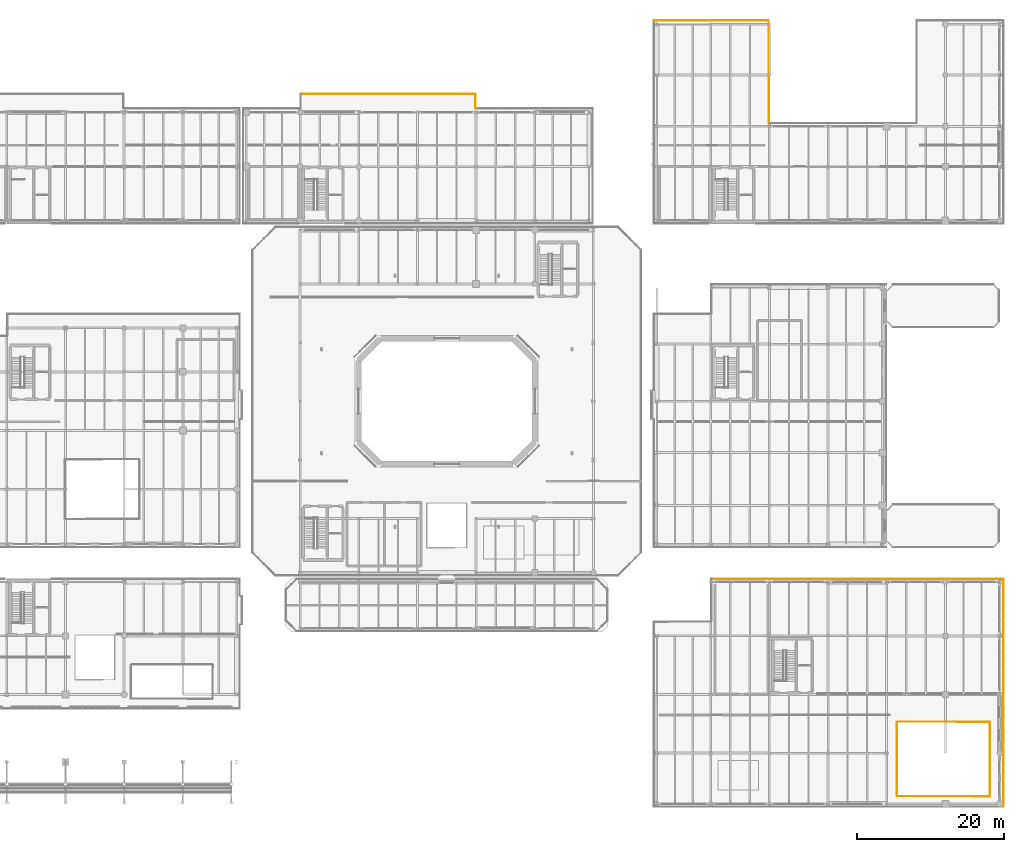
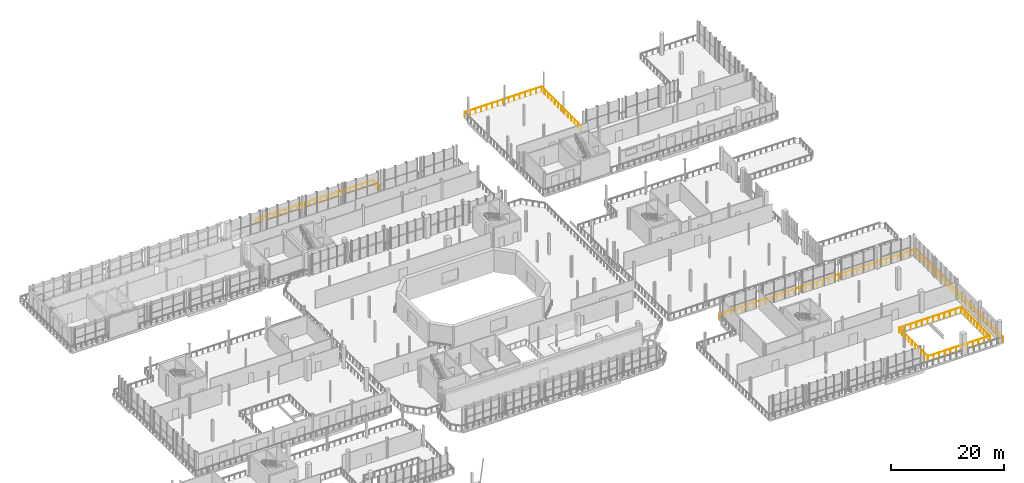
# One storey, part 91 of 93: 10 railings.
"""IFC4 building model written with IfcOpenShell, lengths in metres."""

import ifcopenshell
import ifcopenshell.guid

model = None  # the IFC model being written
_history = None  # IfcOwnerHistory: only IFC2X3 demands one
_inside = {}  # id of a spatial element -> (the spatial element, [elements in it])
_under = {}  # id of a project, library or spatial element -> (it, [spatial elements below it])
_declared = {}  # id of a project -> (the project, [libraries it declares])
_typed = {}  # id of a type object -> (the type object, [elements of that type])
_made_of = {}  # id of a material, layer set ... -> (it, [elements and type objects made of it])


def new_model(schema):
    """Start an empty IFC model of exactly this schema.

    Asked for "IFC4X3", IfcOpenShell would pick the latest addendum, in which some entities
    have other attributes; the version numbers below select the first issue.
    IFC2X3 requires an IfcOwnerHistory on every rooted entity: one is made here for all.
    """
    global model, _history
    if schema == "IFC4X3":
        model = ifcopenshell.file(schema_version=(4, 3, 0, 0))
    else:
        model = ifcopenshell.file(schema=schema)
    _inside.clear()
    _under.clear()
    _declared.clear()
    _typed.clear()
    _made_of.clear()
    _history = None
    if model.schema == "IFC2X3":
        org = make("IfcOrganization", Name="unknown")
        user = make(
            "IfcPersonAndOrganization",
            ThePerson=make("IfcPerson", FamilyName="unknown"),
            TheOrganization=org,
        )
        app = make(
            "IfcApplication",
            ApplicationDeveloper=org,
            Version="unknown",
            ApplicationFullName="unknown",
            ApplicationIdentifier="unknown",
        )
        _history = make(
            "IfcOwnerHistory",
            OwningUser=user,
            OwningApplication=app,
            ChangeAction="ADDED",
            CreationDate=0,
        )
    return model


def make(cls, **values):
    """One entity of the class cls with the attributes given. An attribute that is None is left unset."""
    return model.create_entity(
        cls, **{name: value for name, value in values.items() if value is not None}
    )


def rooted(cls, **values):
    """An entity with a GlobalId (a new one), such as an element, a storey or a relation."""
    return make(cls, GlobalId=ifcopenshell.guid.new(), OwnerHistory=_history, **values)


def si_unit(unit_type, name, prefix=None):
    """IfcSIUnit, for example si_unit("LENGTHUNIT", "METRE", prefix="MILLI")."""
    return make("IfcSIUnit", UnitType=unit_type, Prefix=prefix, Name=name)


def assignment(units):
    """IfcUnitAssignment: the units of a project."""
    return None if units is None else make("IfcUnitAssignment", Units=units)


def point(xyz):
    """IfcCartesianPoint."""
    return None if xyz is None else make("IfcCartesianPoint", Coordinates=xyz)


def direction(xyz):
    """IfcDirection."""
    return None if xyz is None else make("IfcDirection", DirectionRatios=xyz)


def frame(location, z_axis=None, x_axis=None):
    """IfcAxis2Placement3D, a coordinate frame: its origin and axes. An axis left out is left unset."""
    return make(
        "IfcAxis2Placement3D",
        Location=point(location),
        Axis=direction(z_axis),
        RefDirection=direction(x_axis),
    )


def frame_2d(location, x_axis=None):
    """IfcAxis2Placement2D, a coordinate frame in the plane: its origin and x axis."""
    return make(
        "IfcAxis2Placement2D", Location=point(location), RefDirection=direction(x_axis)
    )


def origin():
    """The frame at (0, 0, 0) with its axes left unset."""
    return frame((0.0, 0.0, 0.0))


def origin_2d():
    """The frame at (0, 0) in the plane with its x axis left unset."""
    return frame_2d((0.0, 0.0))


def place(relative_to, where):
    """IfcLocalPlacement: puts the frame where relative to a parent placement (None: the world)."""
    return make(
        "IfcLocalPlacement", PlacementRelTo=relative_to, RelativePlacement=where
    )


def context(
    kind, dimensions, precision=None, world=None, true_north=None, identifier=None
):
    """IfcGeometricRepresentationContext, for example the 3D "Model" context."""
    return make(
        "IfcGeometricRepresentationContext",
        ContextIdentifier=identifier,
        ContextType=kind,
        CoordinateSpaceDimension=dimensions,
        Precision=precision,
        WorldCoordinateSystem=world,
        TrueNorth=true_north,
    )


def subcontext(parent, identifier, kind, view, scale=None):
    """IfcGeometricRepresentationSubContext, for example "Body" below "Model"."""
    return make(
        "IfcGeometricRepresentationSubContext",
        ContextIdentifier=identifier,
        ContextType=kind,
        ParentContext=parent,
        TargetScale=scale,
        TargetView=view,
    )


def project(units=None, contexts=None):
    """IfcProject with its units and contexts."""
    return rooted(
        "IfcProject",
        Name="project",
        RepresentationContexts=contexts,
        UnitsInContext=assignment(units),
    )


def spatial(cls, under=None, at=None, **own):
    """A site, building, storey or space (cls), placed at a placement, below another one or the project."""
    s = rooted(cls, ObjectPlacement=at, **own)
    if under is not None:
        _under.setdefault(under.id(), (under, []))[1].append(s)
    return s


def profile(cls, at=None, kind="AREA", **sizes):
    """A parametric profile (cls). Its sizes go by their IFC names, for example OverallWidth=200.0."""
    return make(cls, ProfileType=kind, Position=at, **sizes)


def circle(**sizes):
    """IfcCircleProfileDef."""
    return profile("IfcCircleProfileDef", **sizes)


def extrude(swept, where, along, depth):
    """IfcExtrudedAreaSolid: the profile swept, set in the frame where, extruded along a direction by depth."""
    return make(
        "IfcExtrudedAreaSolid",
        SweptArea=swept,
        Position=where,
        ExtrudedDirection=direction(along),
        Depth=depth,
    )


def shape(context_of_items, identifier, shape_type, items):
    """IfcShapeRepresentation: the items that make up one representation, for example the "Body"."""
    return make(
        "IfcShapeRepresentation",
        ContextOfItems=context_of_items,
        RepresentationIdentifier=identifier,
        RepresentationType=shape_type,
        Items=items,
    )


def material(Name=None, Category=None):
    """IfcMaterial."""
    return make("IfcMaterial", Name=Name, Category=Category)


def made_of(thing, what):
    """Note that an element or type object is made of a material, layer set ...; save() writes the relation."""
    if what is not None:
        _made_of.setdefault(what.id(), (what, []))[1].append(thing)
    return thing


def type_object(cls, material=None, **own):
    """A type object (cls), such as IfcWallType, which elements share."""
    return made_of(rooted(cls, **own), material)


def element(
    cls,
    number,
    at=None,
    inside=None,
    cuts=None,
    type_object=None,
    material=None,
    context=None,
    identifier="Body",
    shape_type=None,
    held_by="IfcProductDefinitionShape",
    body=None,
    shapes=None,
    **own,
):
    """One element of the class cls, such as IfcWall. Its Tag is "e" and its number.

    at: its placement. inside: the storey or other place that contains it. cuts: it is an
    opening in that element (IfcRelVoidsElement). A single representation is given by context,
    identifier, shape_type and body (its items); several are given by shapes. held_by: the class
    of the entity that holds the representations. save() writes the other relations.
    """
    e = rooted(cls, Tag="e%d" % number, ObjectPlacement=at, **own)
    if body is not None:
        shapes = [shape(context, identifier, shape_type, body)]
    if shapes is not None:
        e.Representation = make(held_by, Representations=shapes)
    if inside is not None:
        _inside.setdefault(inside.id(), (inside, []))[1].append(e)
    if cuts is not None:
        rooted(
            "IfcRelVoidsElement", RelatingBuildingElement=cuts, RelatedOpeningElement=e
        )
    if type_object is not None:
        _typed.setdefault(type_object.id(), (type_object, []))[1].append(e)
    return made_of(e, material)


def aggregate(whole, parts):
    """IfcRelAggregates: a whole, such as a stair, and the parts it consists of."""
    return rooted("IfcRelAggregates", RelatingObject=whole, RelatedObjects=parts)


def save(model, path):
    """Write the relations noted so far, then the file.

    IfcRelAggregates (storeys below a building ...), IfcRelContainedInSpatialStructure (elements
    in a storey), IfcRelDefinesByType, IfcRelAssociatesMaterial and IfcRelDeclares: one each for
    every whole, place, type object, material and project.
    """
    for whole, parts in _under.values():
        aggregate(whole, parts)
    for where, things in _inside.values():
        rooted(
            "IfcRelContainedInSpatialStructure",
            RelatedElements=things,
            RelatingStructure=where,
        )
    for kind, things in _typed.values():
        rooted("IfcRelDefinesByType", RelatedObjects=things, RelatingType=kind)
    for what, things in _made_of.values():
        rooted("IfcRelAssociatesMaterial", RelatedObjects=things, RelatingMaterial=what)
    for by, libraries in _declared.values():
        rooted("IfcRelDeclares", RelatingContext=by, RelatedDefinitions=libraries)
    model.write(path)


model = new_model("IFC4")

# Units and contexts
model_context = context("Model", 3, precision=1e-05, world=origin(), true_north=direction((0.0, 1.0)))
body_context = subcontext(model_context, "Body", "Model", "MODEL_VIEW")
ifc_project = project(units=[si_unit("LENGTHUNIT", "METRE"), si_unit("AREAUNIT", "SQUARE_METRE"), si_unit("VOLUMEUNIT", "CUBIC_METRE"), si_unit("PLANEANGLEUNIT", "RADIAN"), si_unit("MASSUNIT", "GRAM", prefix="KILO")], contexts=[model_context])

# Site, building, storey
site_placement = place(None, origin())
site = spatial("IfcSite", under=ifc_project, at=site_placement, CompositionType="ELEMENT")
building_placement = place(site_placement, origin())
building = spatial("IfcBuilding", under=site, at=building_placement, Name="Brisemont Oceanarium", CompositionType="ELEMENT")
storey_placement = place(building_placement, frame((0.0, 0.0, 5.39990234375)))
storey = spatial("IfcBuildingStorey", under=building, at=storey_placement, Name="L01", CompositionType="ELEMENT", Elevation=5.39990234375)

# Railings
ifc_material_1 = material(Name="Beaux-Arts Limestone Balustrade Precast Concrete C40/50", Category="masonry")
railing_type_1 = type_object("IfcRailingType", Name="RLG-BAL-1140", PredefinedType="BALUSTRADE", material=ifc_material_1)
railing_1_placement = place(storey_placement, frame((120.090087890625, 31.759521484375, 0.0)))
element("IfcRailing", 1, at=railing_1_placement, inside=storey, type_object=railing_type_1, Name="L01 slab perimeter safety guard 4", PredefinedType="BALUSTRADE", context=body_context, shape_type="SweptSolid", body=[
    extrude(circle(Radius=0.02392578125, at=origin_2d()), frame((0.0, 0.0, 1.11572265625), z_axis=(0.999999999925, 1.2262416e-05, 0.0), x_axis=(-1.2262416e-05, 0.999999999925, 0.0)), (0.0, 0.0, 1.0), 39.8193359375),
    extrude(circle(Radius=0.02099609375, at=origin_2d()), origin(), (0.0, 0.0, 1.0), 1.091796875),
    extrude(circle(Radius=0.02099609375, at=origin_2d()), frame((1.171142578125, 0.0, 0.0)), (0.0, 0.0, 1.0), 1.091796875),
    extrude(circle(Radius=0.02099609375, at=origin_2d()), frame((2.34228515625, 0.0, 0.0)), (0.0, 0.0, 1.0), 1.091796875),
    extrude(circle(Radius=0.02099609375, at=origin_2d()), frame((3.513427734375, 0.0, 0.0)), (0.0, 0.0, 1.0), 1.091796875),
    extrude(circle(Radius=0.02099609375, at=origin_2d()), frame((4.6845703125, 0.0, 0.0)), (0.0, 0.0, 1.0), 1.091796875),
    extrude(circle(Radius=0.02099609375, at=origin_2d()), frame((5.855712890625, 0.0, 0.0)), (0.0, 0.0, 1.0), 1.091796875),
    extrude(circle(Radius=0.02099609375, at=origin_2d()), frame((7.02685546875, 0.0, 0.0)), (0.0, 0.0, 1.0), 1.091796875),
    extrude(circle(Radius=0.02099609375, at=origin_2d()), frame((8.197998046875, 0.0, 0.0)), (0.0, 0.0, 1.0), 1.091796875),
    extrude(circle(Radius=0.02099609375, at=origin_2d()), frame((9.369140625, 0.0, 0.0)), (0.0, 0.0, 1.0), 1.091796875),
    extrude(circle(Radius=0.02099609375, at=origin_2d()), frame((10.54052734375, 0.000244140625, 0.0)), (0.0, 0.0, 1.0), 1.091796875),
    extrude(circle(Radius=0.02099609375, at=origin_2d()), frame((11.711669921875, 0.000244140625, 0.0)), (0.0, 0.0, 1.0), 1.091796875),
    extrude(circle(Radius=0.02099609375, at=origin_2d()), frame((12.8828125, 0.000244140625, 0.0)), (0.0, 0.0, 1.0), 1.091796875),
    extrude(circle(Radius=0.02099609375, at=origin_2d()), frame((14.053955078125, 0.000244140625, 0.0)), (0.0, 0.0, 1.0), 1.091796875),
    extrude(circle(Radius=0.02099609375, at=origin_2d()), frame((15.22509765625, 0.000244140625, 0.0)), (0.0, 0.0, 1.0), 1.091796875),
    extrude(circle(Radius=0.02099609375, at=origin_2d()), frame((16.396240234375, 0.000244140625, 0.0)), (0.0, 0.0, 1.0), 1.091796875),
    extrude(circle(Radius=0.02099609375, at=origin_2d()), frame((17.5673828125, 0.000244140625, 0.0)), (0.0, 0.0, 1.0), 1.091796875),
    extrude(circle(Radius=0.02099609375, at=origin_2d()), frame((18.738525390625, 0.000244140625, 0.0)), (0.0, 0.0, 1.0), 1.091796875),
    extrude(circle(Radius=0.02099609375, at=origin_2d()), frame((19.90966796875, 0.000244140625, 0.0)), (0.0, 0.0, 1.0), 1.091796875),
    extrude(circle(Radius=0.02099609375, at=origin_2d()), frame((21.080810546875, 0.000244140625, 0.0)), (0.0, 0.0, 1.0), 1.091796875),
    extrude(circle(Radius=0.02099609375, at=origin_2d()), frame((22.251953125, 0.000244140625, 0.0)), (0.0, 0.0, 1.0), 1.091796875),
    extrude(circle(Radius=0.02099609375, at=origin_2d()), frame((23.423095703125, 0.000244140625, 0.0)), (0.0, 0.0, 1.0), 1.091796875),
    extrude(circle(Radius=0.02099609375, at=origin_2d()), frame((24.59423828125, 0.000244140625, 0.0)), (0.0, 0.0, 1.0), 1.091796875),
    extrude(circle(Radius=0.02099609375, at=origin_2d()), frame((25.765380859375, 0.000244140625, 0.0)), (0.0, 0.0, 1.0), 1.091796875),
    extrude(circle(Radius=0.02099609375, at=origin_2d()), frame((26.9365234375, 0.000244140625, 0.0)), (0.0, 0.0, 1.0), 1.091796875),
    extrude(circle(Radius=0.02099609375, at=origin_2d()), frame((28.107666015625, 0.000244140625, 0.0)), (0.0, 0.0, 1.0), 1.091796875),
    extrude(circle(Radius=0.02099609375, at=origin_2d()), frame((29.27880859375, 0.000244140625, 0.0)), (0.0, 0.0, 1.0), 1.091796875),
    extrude(circle(Radius=0.02099609375, at=origin_2d()), frame((30.4501953125, 0.00048828125, 0.0)), (0.0, 0.0, 1.0), 1.091796875),
    extrude(circle(Radius=0.02099609375, at=origin_2d()), frame((31.621337890625, 0.00048828125, 0.0)), (0.0, 0.0, 1.0), 1.091796875),
    extrude(circle(Radius=0.02099609375, at=origin_2d()), frame((32.79248046875, 0.00048828125, 0.0)), (0.0, 0.0, 1.0), 1.091796875),
    extrude(circle(Radius=0.02099609375, at=origin_2d()), frame((33.963623046875, 0.00048828125, 0.0)), (0.0, 0.0, 1.0), 1.091796875),
    extrude(circle(Radius=0.02099609375, at=origin_2d()), frame((35.134765625, 0.00048828125, 0.0)), (0.0, 0.0, 1.0), 1.091796875),
    extrude(circle(Radius=0.02099609375, at=origin_2d()), frame((36.305908203125, 0.00048828125, 0.0)), (0.0, 0.0, 1.0), 1.091796875),
    extrude(circle(Radius=0.02099609375, at=origin_2d()), frame((37.47705078125, 0.00048828125, 0.0)), (0.0, 0.0, 1.0), 1.091796875),
    extrude(circle(Radius=0.02099609375, at=origin_2d()), frame((38.648193359375, 0.00048828125, 0.0)), (0.0, 0.0, 1.0), 1.091796875),
    extrude(circle(Radius=0.02099609375, at=origin_2d()), frame((39.8193359375, 0.00048828125, 0.0)), (0.0, 0.0, 1.0), 1.091796875),
])
railing_2_placement = place(storey_placement, frame((145.45361328125, 2.13232421875, 0.0)))
element("IfcRailing", 2, at=railing_2_placement, inside=storey, type_object=railing_type_1, Name="L01 slab perimeter safety guard 8", PredefinedType="BALUSTRADE", context=body_context, shape_type="SweptSolid", body=[
    extrude(circle(Radius=0.02392578125, at=origin_2d()), frame((0.0, 0.0, 1.11572265625), z_axis=(0.999998427171, -0.001773599768, 0.0), x_axis=(0.001773599768, 0.999998427171, 0.0)), (0.0, 0.0, 1.0), 12.5263671875),
    extrude(circle(Radius=0.02099609375, at=origin_2d()), origin(), (0.0, 0.0, 1.0), 1.091796875),
    extrude(circle(Radius=0.02099609375, at=origin_2d()), frame((1.138671875, -0.001953125, 0.0)), (0.0, 0.0, 1.0), 1.091796875),
    extrude(circle(Radius=0.02099609375, at=origin_2d()), frame((2.277587890625, -0.004150390625, 0.0)), (0.0, 0.0, 1.0), 1.091796875),
    extrude(circle(Radius=0.02099609375, at=origin_2d()), frame((3.416259765625, -0.006103515625, 0.0)), (0.0, 0.0, 1.0), 1.091796875),
    extrude(circle(Radius=0.02099609375, at=origin_2d()), frame((4.554931640625, -0.008056640625, 0.0)), (0.0, 0.0, 1.0), 1.091796875),
    extrude(circle(Radius=0.02099609375, at=origin_2d()), frame((5.69384765625, -0.010009765625, 0.0)), (0.0, 0.0, 1.0), 1.091796875),
    extrude(circle(Radius=0.02099609375, at=origin_2d()), frame((6.83251953125, -0.01220703125, 0.0)), (0.0, 0.0, 1.0), 1.091796875),
    extrude(circle(Radius=0.02099609375, at=origin_2d()), frame((7.971435546875, -0.01416015625, 0.0)), (0.0, 0.0, 1.0), 1.091796875),
    extrude(circle(Radius=0.02099609375, at=origin_2d()), frame((9.110107421875, -0.01611328125, 0.0)), (0.0, 0.0, 1.0), 1.091796875),
    extrude(circle(Radius=0.02099609375, at=origin_2d()), frame((10.248779296875, -0.01806640625, 0.0)), (0.0, 0.0, 1.0), 1.091796875),
    extrude(circle(Radius=0.02099609375, at=origin_2d()), frame((11.3876953125, -0.020263671875, 0.0)), (0.0, 0.0, 1.0), 1.091796875),
    extrude(circle(Radius=0.02099609375, at=origin_2d()), frame((12.5263671875, -0.022216796875, 0.0)), (0.0, 0.0, 1.0), 1.091796875),
])
railing_3_placement = place(storey_placement, frame((112.239990234375, 107.909423828125, 0.0)))
element("IfcRailing", 3, at=railing_3_placement, inside=storey, type_object=railing_type_1, Name="L01 slab perimeter safety guard 12", PredefinedType="BALUSTRADE", context=body_context, shape_type="SweptSolid", body=[
    extrude(circle(Radius=0.02392578125, at=origin_2d()), frame((0.0, 0.0, 1.11572265625), z_axis=(0.999999999514, 3.1161385e-05, 0.0), x_axis=(-3.1161385e-05, 0.999999999514, 0.0)), (0.0, 0.0, 1.0), 15.66943359375),
    extrude(circle(Radius=0.02099609375, at=origin_2d()), origin(), (0.0, 0.0, 1.0), 1.091796875),
    extrude(circle(Radius=0.02099609375, at=origin_2d()), frame((1.119140625, 0.0, 0.0)), (0.0, 0.0, 1.0), 1.091796875),
    extrude(circle(Radius=0.02099609375, at=origin_2d()), frame((2.238525390625, 0.0, 0.0)), (0.0, 0.0, 1.0), 1.091796875),
    extrude(circle(Radius=0.02099609375, at=origin_2d()), frame((3.357666015625, 0.0, 0.0)), (0.0, 0.0, 1.0), 1.091796875),
    extrude(circle(Radius=0.02099609375, at=origin_2d()), frame((4.47705078125, 0.000244140625, 0.0)), (0.0, 0.0, 1.0), 1.091796875),
    extrude(circle(Radius=0.02099609375, at=origin_2d()), frame((5.59619140625, 0.000244140625, 0.0)), (0.0, 0.0, 1.0), 1.091796875),
    extrude(circle(Radius=0.02099609375, at=origin_2d()), frame((6.715576171875, 0.000244140625, 0.0)), (0.0, 0.0, 1.0), 1.091796875),
    extrude(circle(Radius=0.02099609375, at=origin_2d()), frame((7.834716796875, 0.000244140625, 0.0)), (0.0, 0.0, 1.0), 1.091796875),
    extrude(circle(Radius=0.02099609375, at=origin_2d()), frame((8.953857421875, 0.000244140625, 0.0)), (0.0, 0.0, 1.0), 1.091796875),
    extrude(circle(Radius=0.02099609375, at=origin_2d()), frame((10.0732421875, 0.000244140625, 0.0)), (0.0, 0.0, 1.0), 1.091796875),
    extrude(circle(Radius=0.02099609375, at=origin_2d()), frame((11.1923828125, 0.000244140625, 0.0)), (0.0, 0.0, 1.0), 1.091796875),
    extrude(circle(Radius=0.02099609375, at=origin_2d()), frame((12.311767578125, 0.00048828125, 0.0)), (0.0, 0.0, 1.0), 1.091796875),
    extrude(circle(Radius=0.02099609375, at=origin_2d()), frame((13.430908203125, 0.00048828125, 0.0)), (0.0, 0.0, 1.0), 1.091796875),
    extrude(circle(Radius=0.02099609375, at=origin_2d()), frame((14.55029296875, 0.00048828125, 0.0)), (0.0, 0.0, 1.0), 1.091796875),
    extrude(circle(Radius=0.02099609375, at=origin_2d()), frame((15.66943359375, 0.00048828125, 0.0)), (0.0, 0.0, 1.0), 1.091796875),
])
ifc_material_2 = material(Name="Duplex Stainless Steel EN 1.4462", Category="steel")
railing_type_2 = type_object("IfcRailingType", Name="RLG-GUARD-1120", PredefinedType="GUARDRAIL", material=ifc_material_2)
railing_4_placement = place(storey_placement, frame((159.909423828125, 31.760009765625, 0.0)))
element("IfcRailing", 4, at=railing_4_placement, inside=storey, type_object=railing_type_2, Name="L01 slab perimeter safety guard 5", PredefinedType="GUARDRAIL", context=body_context, shape_type="SweptSolid", body=[
    extrude(circle(Radius=0.02392578125, at=origin_2d()), frame((0.0, 0.0, 1.09619140625), z_axis=(1.5715734e-05, -0.999999999877, 0.0), x_axis=(0.999999999877, 1.5715734e-05, 0.0)), (0.0, 0.0, 1.0), 31.069580078125),
    extrude(circle(Radius=0.02099609375, at=origin_2d()), origin(), (0.0, 0.0, 1.0), 1.072021484375),
    extrude(circle(Radius=0.02099609375, at=origin_2d()), frame((0.0, -1.195068359375, 0.0)), (0.0, 0.0, 1.0), 1.072021484375),
    extrude(circle(Radius=0.02099609375, at=origin_2d()), frame((0.0, -2.389892578125, 0.0)), (0.0, 0.0, 1.0), 1.072021484375),
    extrude(circle(Radius=0.02099609375, at=origin_2d()), frame((0.0, -3.5849609375, 0.0)), (0.0, 0.0, 1.0), 1.072021484375),
    extrude(circle(Radius=0.02099609375, at=origin_2d()), frame((0.0, -4.780029296875, 0.0)), (0.0, 0.0, 1.0), 1.072021484375),
    extrude(circle(Radius=0.02099609375, at=origin_2d()), frame((0.0, -5.974853515625, 0.0)), (0.0, 0.0, 1.0), 1.072021484375),
    extrude(circle(Radius=0.02099609375, at=origin_2d()), frame((0.0, -7.169921875, 0.0)), (0.0, 0.0, 1.0), 1.072021484375),
    extrude(circle(Radius=0.02099609375, at=origin_2d()), frame((0.000244140625, -8.364990234375, 0.0)), (0.0, 0.0, 1.0), 1.072021484375),
    extrude(circle(Radius=0.02099609375, at=origin_2d()), frame((0.000244140625, -9.559814453125, 0.0)), (0.0, 0.0, 1.0), 1.072021484375),
    extrude(circle(Radius=0.02099609375, at=origin_2d()), frame((0.000244140625, -10.7548828125, 0.0)), (0.0, 0.0, 1.0), 1.072021484375),
    extrude(circle(Radius=0.02099609375, at=origin_2d()), frame((0.000244140625, -11.949951171875, 0.0)), (0.0, 0.0, 1.0), 1.072021484375),
    extrude(circle(Radius=0.02099609375, at=origin_2d()), frame((0.000244140625, -13.144775390625, 0.0)), (0.0, 0.0, 1.0), 1.072021484375),
    extrude(circle(Radius=0.02099609375, at=origin_2d()), frame((0.000244140625, -14.33984375, 0.0)), (0.0, 0.0, 1.0), 1.072021484375),
    extrude(circle(Radius=0.02099609375, at=origin_2d()), frame((0.000244140625, -15.53466796875, 0.0)), (0.0, 0.0, 1.0), 1.072021484375),
    extrude(circle(Radius=0.02099609375, at=origin_2d()), frame((0.000244140625, -16.729736328125, 0.0)), (0.0, 0.0, 1.0), 1.072021484375),
    extrude(circle(Radius=0.02099609375, at=origin_2d()), frame((0.000244140625, -17.9248046875, 0.0)), (0.0, 0.0, 1.0), 1.072021484375),
    extrude(circle(Radius=0.02099609375, at=origin_2d()), frame((0.000244140625, -19.11962890625, 0.0)), (0.0, 0.0, 1.0), 1.072021484375),
    extrude(circle(Radius=0.02099609375, at=origin_2d()), frame((0.000244140625, -20.314697265625, 0.0)), (0.0, 0.0, 1.0), 1.072021484375),
    extrude(circle(Radius=0.02099609375, at=origin_2d()), frame((0.000244140625, -21.509765625, 0.0)), (0.0, 0.0, 1.0), 1.072021484375),
    extrude(circle(Radius=0.02099609375, at=origin_2d()), frame((0.000244140625, -22.70458984375, 0.0)), (0.0, 0.0, 1.0), 1.072021484375),
    extrude(circle(Radius=0.02099609375, at=origin_2d()), frame((0.00048828125, -23.899658203125, 0.0)), (0.0, 0.0, 1.0), 1.072021484375),
    extrude(circle(Radius=0.02099609375, at=origin_2d()), frame((0.00048828125, -25.0947265625, 0.0)), (0.0, 0.0, 1.0), 1.072021484375),
    extrude(circle(Radius=0.02099609375, at=origin_2d()), frame((0.00048828125, -26.28955078125, 0.0)), (0.0, 0.0, 1.0), 1.072021484375),
    extrude(circle(Radius=0.02099609375, at=origin_2d()), frame((0.00048828125, -27.484619140625, 0.0)), (0.0, 0.0, 1.0), 1.072021484375),
    extrude(circle(Radius=0.02099609375, at=origin_2d()), frame((0.00048828125, -28.6796875, 0.0)), (0.0, 0.0, 1.0), 1.072021484375),
    extrude(circle(Radius=0.02099609375, at=origin_2d()), frame((0.00048828125, -29.87451171875, 0.0)), (0.0, 0.0, 1.0), 1.072021484375),
    extrude(circle(Radius=0.02099609375, at=origin_2d()), frame((0.00048828125, -31.069580078125, 0.0)), (0.0, 0.0, 1.0), 1.072021484375),
])
railing_5_placement = place(storey_placement, frame((145.409912109375, 12.179931640625, 0.0)))
element("IfcRailing", 5, at=railing_5_placement, inside=storey, type_object=railing_type_2, Name="L01 slab perimeter safety guard 7", PredefinedType="GUARDRAIL", context=body_context, shape_type="SweptSolid", body=[
    extrude(circle(Radius=0.02392578125, at=origin_2d()), frame((0.0, 0.0, 1.09619140625), z_axis=(0.0, -1.0, 0.0), x_axis=(1.0, 0.0, 0.0)), (0.0, 0.0, 1.0), 9.9599609375),
    extrude(circle(Radius=0.02099609375, at=origin_2d()), origin(), (0.0, 0.0, 1.0), 1.072021484375),
    extrude(circle(Radius=0.02099609375, at=origin_2d()), frame((0.0, -1.106689453125, 0.0)), (0.0, 0.0, 1.0), 1.072021484375),
    extrude(circle(Radius=0.02099609375, at=origin_2d()), frame((0.0, -2.21337890625, 0.0)), (0.0, 0.0, 1.0), 1.072021484375),
    extrude(circle(Radius=0.02099609375, at=origin_2d()), frame((0.0, -3.320068359375, 0.0)), (0.0, 0.0, 1.0), 1.072021484375),
    extrude(circle(Radius=0.02099609375, at=origin_2d()), frame((0.0, -4.4267578125, 0.0)), (0.0, 0.0, 1.0), 1.072021484375),
    extrude(circle(Radius=0.02099609375, at=origin_2d()), frame((0.0, -5.533203125, 0.0)), (0.0, 0.0, 1.0), 1.072021484375),
    extrude(circle(Radius=0.02099609375, at=origin_2d()), frame((0.0, -6.639892578125, 0.0)), (0.0, 0.0, 1.0), 1.072021484375),
    extrude(circle(Radius=0.02099609375, at=origin_2d()), frame((0.0, -7.74658203125, 0.0)), (0.0, 0.0, 1.0), 1.072021484375),
    extrude(circle(Radius=0.02099609375, at=origin_2d()), frame((0.0, -8.853271484375, 0.0)), (0.0, 0.0, 1.0), 1.072021484375),
    extrude(circle(Radius=0.02099609375, at=origin_2d()), frame((0.0, -9.9599609375, 0.0)), (0.0, 0.0, 1.0), 1.072021484375),
])
railing_6_placement = place(storey_placement, frame((158.067626953125, 2.15380859375, 0.0)))
element("IfcRailing", 6, at=railing_6_placement, inside=storey, type_object=railing_type_2, Name="L01 slab perimeter safety guard 9", PredefinedType="GUARDRAIL", context=body_context, shape_type="SweptSolid", body=[
    extrude(circle(Radius=0.02392578125, at=origin_2d()), frame((0.0, 0.0, 1.09619140625), z_axis=(0.002240235935, 0.999997490668, 0.0), x_axis=(-0.999997490668, 0.002240235935, 0.0)), (0.0, 0.0, 1.0), 10.026123046875),
    extrude(circle(Radius=0.02099609375, at=origin_2d()), origin(), (0.0, 0.0, 1.0), 1.072021484375),
    extrude(circle(Radius=0.02099609375, at=origin_2d()), frame((0.00244140625, 1.114013671875, 0.0)), (0.0, 0.0, 1.0), 1.072021484375),
    extrude(circle(Radius=0.02099609375, at=origin_2d()), frame((0.0048828125, 2.22802734375, 0.0)), (0.0, 0.0, 1.0), 1.072021484375),
    extrude(circle(Radius=0.02099609375, at=origin_2d()), frame((0.007568359375, 3.342041015625, 0.0)), (0.0, 0.0, 1.0), 1.072021484375),
    extrude(circle(Radius=0.02099609375, at=origin_2d()), frame((0.010009765625, 4.4560546875, 0.0)), (0.0, 0.0, 1.0), 1.072021484375),
    extrude(circle(Radius=0.02099609375, at=origin_2d()), frame((0.012451171875, 5.570068359375, 0.0)), (0.0, 0.0, 1.0), 1.072021484375),
    extrude(circle(Radius=0.02099609375, at=origin_2d()), frame((0.014892578125, 6.68408203125, 0.0)), (0.0, 0.0, 1.0), 1.072021484375),
    extrude(circle(Radius=0.02099609375, at=origin_2d()), frame((0.017578125, 7.798095703125, 0.0)), (0.0, 0.0, 1.0), 1.072021484375),
    extrude(circle(Radius=0.02099609375, at=origin_2d()), frame((0.02001953125, 8.912109375, 0.0)), (0.0, 0.0, 1.0), 1.072021484375),
    extrude(circle(Radius=0.02099609375, at=origin_2d()), frame((0.0224609375, 10.026123046875, 0.0)), (0.0, 0.0, 1.0), 1.072021484375),
])
railing_7_placement = place(storey_placement, frame((158.04638671875, 12.267578125, 0.0)))
element("IfcRailing", 7, at=railing_7_placement, inside=storey, type_object=railing_type_2, Name="L01 slab perimeter safety guard 10", PredefinedType="GUARDRAIL", context=body_context, shape_type="SweptSolid", body=[
    extrude(circle(Radius=0.02392578125, at=origin_2d()), frame((0.0, 0.0, 1.09619140625), z_axis=(-0.999998392413, 0.001793089813, 0.0), x_axis=(-0.001793089813, -0.999998392413, 0.0)), (0.0, 0.0, 1.0), 12.5263671875),
    extrude(circle(Radius=0.02099609375, at=origin_2d()), origin(), (0.0, 0.0, 1.0), 1.072021484375),
    extrude(circle(Radius=0.02099609375, at=origin_2d()), frame((-1.138671875, 0.001953125, 0.0)), (0.0, 0.0, 1.0), 1.072021484375),
    extrude(circle(Radius=0.02099609375, at=origin_2d()), frame((-2.277587890625, 0.004150390625, 0.0)), (0.0, 0.0, 1.0), 1.072021484375),
    extrude(circle(Radius=0.02099609375, at=origin_2d()), frame((-3.416259765625, 0.006103515625, 0.0)), (0.0, 0.0, 1.0), 1.072021484375),
    extrude(circle(Radius=0.02099609375, at=origin_2d()), frame((-4.554931640625, 0.008056640625, 0.0)), (0.0, 0.0, 1.0), 1.072021484375),
    extrude(circle(Radius=0.02099609375, at=origin_2d()), frame((-5.69384765625, 0.01025390625, 0.0)), (0.0, 0.0, 1.0), 1.072021484375),
    extrude(circle(Radius=0.02099609375, at=origin_2d()), frame((-6.83251953125, 0.01220703125, 0.0)), (0.0, 0.0, 1.0), 1.072021484375),
    extrude(circle(Radius=0.02099609375, at=origin_2d()), frame((-7.971435546875, 0.014404296875, 0.0)), (0.0, 0.0, 1.0), 1.072021484375),
    extrude(circle(Radius=0.02099609375, at=origin_2d()), frame((-9.110107421875, 0.016357421875, 0.0)), (0.0, 0.0, 1.0), 1.072021484375),
    extrude(circle(Radius=0.02099609375, at=origin_2d()), frame((-10.248779296875, 0.018310546875, 0.0)), (0.0, 0.0, 1.0), 1.072021484375),
    extrude(circle(Radius=0.02099609375, at=origin_2d()), frame((-11.3876953125, 0.0205078125, 0.0)), (0.0, 0.0, 1.0), 1.072021484375),
    extrude(circle(Radius=0.02099609375, at=origin_2d()), frame((-12.5263671875, 0.0224609375, 0.0)), (0.0, 0.0, 1.0), 1.072021484375),
])
railing_8_placement = place(storey_placement, frame((127.909423828125, 107.909912109375, 0.0)))
element("IfcRailing", 8, at=railing_8_placement, inside=storey, type_object=railing_type_2, Name="L01 slab perimeter safety guard 13", PredefinedType="GUARDRAIL", context=body_context, shape_type="SweptSolid", body=[
    extrude(circle(Radius=0.02392578125, at=origin_2d()), frame((0.0, 0.0, 1.09619140625), z_axis=(3.515371e-05, -0.999999999382, 0.0), x_axis=(0.999999999382, 3.515371e-05, 0.0)), (0.0, 0.0, 1.0), 13.889892578125),
    extrude(circle(Radius=0.02099609375, at=origin_2d()), origin(), (0.0, 0.0, 1.0), 1.072021484375),
    extrude(circle(Radius=0.02099609375, at=origin_2d()), frame((0.0, -1.157470703125, 0.0)), (0.0, 0.0, 1.0), 1.072021484375),
    extrude(circle(Radius=0.02099609375, at=origin_2d()), frame((0.0, -2.31494140625, 0.0)), (0.0, 0.0, 1.0), 1.072021484375),
    extrude(circle(Radius=0.02099609375, at=origin_2d()), frame((0.0, -3.472412109375, 0.0)), (0.0, 0.0, 1.0), 1.072021484375),
    extrude(circle(Radius=0.02099609375, at=origin_2d()), frame((0.000244140625, -4.6298828125, 0.0)), (0.0, 0.0, 1.0), 1.072021484375),
    extrude(circle(Radius=0.02099609375, at=origin_2d()), frame((0.000244140625, -5.787353515625, 0.0)), (0.0, 0.0, 1.0), 1.072021484375),
    extrude(circle(Radius=0.02099609375, at=origin_2d()), frame((0.000244140625, -6.94482421875, 0.0)), (0.0, 0.0, 1.0), 1.072021484375),
    extrude(circle(Radius=0.02099609375, at=origin_2d()), frame((0.000244140625, -8.1025390625, 0.0)), (0.0, 0.0, 1.0), 1.072021484375),
    extrude(circle(Radius=0.02099609375, at=origin_2d()), frame((0.000244140625, -9.260009765625, 0.0)), (0.0, 0.0, 1.0), 1.072021484375),
    extrude(circle(Radius=0.02099609375, at=origin_2d()), frame((0.00048828125, -10.41748046875, 0.0)), (0.0, 0.0, 1.0), 1.072021484375),
    extrude(circle(Radius=0.02099609375, at=origin_2d()), frame((0.00048828125, -11.574951171875, 0.0)), (0.0, 0.0, 1.0), 1.072021484375),
    extrude(circle(Radius=0.02099609375, at=origin_2d()), frame((0.00048828125, -12.732421875, 0.0)), (0.0, 0.0, 1.0), 1.072021484375),
    extrude(circle(Radius=0.02099609375, at=origin_2d()), frame((0.00048828125, -13.889892578125, 0.0)), (0.0, 0.0, 1.0), 1.072021484375),
])
railing_9_placement = place(storey_placement, frame((64.090087890625, 97.909423828125, 0.0)))
element("IfcRailing", 9, at=railing_9_placement, inside=storey, type_object=railing_type_2, Name="L01 slab perimeter safety guard 69", PredefinedType="GUARDRAIL", context=body_context, shape_type="SweptSolid", body=[
    extrude(circle(Radius=0.02392578125, at=origin_2d()), frame((0.0, 0.0, 1.09619140625), z_axis=(0.99999999979, 2.0499365e-05, 0.0), x_axis=(-2.0499365e-05, 0.99999999979, 0.0)), (0.0, 0.0, 1.0), 23.8193359375),
    extrude(circle(Radius=0.02099609375, at=origin_2d()), origin(), (0.0, 0.0, 1.0), 1.072021484375),
    extrude(circle(Radius=0.02099609375, at=origin_2d()), frame((1.19091796875, 0.0, 0.0)), (0.0, 0.0, 1.0), 1.072021484375),
    extrude(circle(Radius=0.02099609375, at=origin_2d()), frame((2.3818359375, 0.0, 0.0)), (0.0, 0.0, 1.0), 1.072021484375),
    extrude(circle(Radius=0.02099609375, at=origin_2d()), frame((3.572998046875, 0.0, 0.0)), (0.0, 0.0, 1.0), 1.072021484375),
    extrude(circle(Radius=0.02099609375, at=origin_2d()), frame((4.763916015625, 0.0, 0.0)), (0.0, 0.0, 1.0), 1.072021484375),
    extrude(circle(Radius=0.02099609375, at=origin_2d()), frame((5.954833984375, 0.0, 0.0)), (0.0, 0.0, 1.0), 1.072021484375),
    extrude(circle(Radius=0.02099609375, at=origin_2d()), frame((7.145751953125, 0.000244140625, 0.0)), (0.0, 0.0, 1.0), 1.072021484375),
    extrude(circle(Radius=0.02099609375, at=origin_2d()), frame((8.336669921875, 0.000244140625, 0.0)), (0.0, 0.0, 1.0), 1.072021484375),
    extrude(circle(Radius=0.02099609375, at=origin_2d()), frame((9.52783203125, 0.000244140625, 0.0)), (0.0, 0.0, 1.0), 1.072021484375),
    extrude(circle(Radius=0.02099609375, at=origin_2d()), frame((10.71875, 0.000244140625, 0.0)), (0.0, 0.0, 1.0), 1.072021484375),
    extrude(circle(Radius=0.02099609375, at=origin_2d()), frame((11.90966796875, 0.000244140625, 0.0)), (0.0, 0.0, 1.0), 1.072021484375),
    extrude(circle(Radius=0.02099609375, at=origin_2d()), frame((13.1005859375, 0.000244140625, 0.0)), (0.0, 0.0, 1.0), 1.072021484375),
    extrude(circle(Radius=0.02099609375, at=origin_2d()), frame((14.29150390625, 0.000244140625, 0.0)), (0.0, 0.0, 1.0), 1.072021484375),
    extrude(circle(Radius=0.02099609375, at=origin_2d()), frame((15.482666015625, 0.000244140625, 0.0)), (0.0, 0.0, 1.0), 1.072021484375),
    extrude(circle(Radius=0.02099609375, at=origin_2d()), frame((16.673583984375, 0.000244140625, 0.0)), (0.0, 0.0, 1.0), 1.072021484375),
    extrude(circle(Radius=0.02099609375, at=origin_2d()), frame((17.864501953125, 0.00048828125, 0.0)), (0.0, 0.0, 1.0), 1.072021484375),
    extrude(circle(Radius=0.02099609375, at=origin_2d()), frame((19.055419921875, 0.00048828125, 0.0)), (0.0, 0.0, 1.0), 1.072021484375),
    extrude(circle(Radius=0.02099609375, at=origin_2d()), frame((20.246337890625, 0.00048828125, 0.0)), (0.0, 0.0, 1.0), 1.072021484375),
    extrude(circle(Radius=0.02099609375, at=origin_2d()), frame((21.4375, 0.00048828125, 0.0)), (0.0, 0.0, 1.0), 1.072021484375),
    extrude(circle(Radius=0.02099609375, at=origin_2d()), frame((22.62841796875, 0.00048828125, 0.0)), (0.0, 0.0, 1.0), 1.072021484375),
    extrude(circle(Radius=0.02099609375, at=origin_2d()), frame((23.8193359375, 0.00048828125, 0.0)), (0.0, 0.0, 1.0), 1.072021484375),
])
railing_10_placement = place(storey_placement, frame((87.909423828125, 97.909912109375, 0.0)))
element("IfcRailing", 10, at=railing_10_placement, inside=storey, type_object=railing_type_2, Name="L01 slab perimeter safety guard 70", PredefinedType="GUARDRAIL", context=body_context, shape_type="SweptSolid", body=[
    extrude(circle(Radius=0.02392578125, at=origin_2d()), frame((0.0, 0.0, 1.09619140625), z_axis=(0.000386647735, -0.999999925252, 0.0), x_axis=(0.999999925252, 0.000386647735, 0.0)), (0.0, 0.0, 1.0), 1.894287109375),
    extrude(circle(Radius=0.02099609375, at=origin_2d()), origin(), (0.0, 0.0, 1.0), 1.072021484375),
    extrude(circle(Radius=0.02099609375, at=origin_2d()), frame((0.00048828125, -0.947265625, 0.0)), (0.0, 0.0, 1.0), 1.072021484375),
    extrude(circle(Radius=0.02099609375, at=origin_2d()), frame((0.000732421875, -1.894287109375, 0.0)), (0.0, 0.0, 1.0), 1.072021484375),
])

save(model, "model.ifc")
